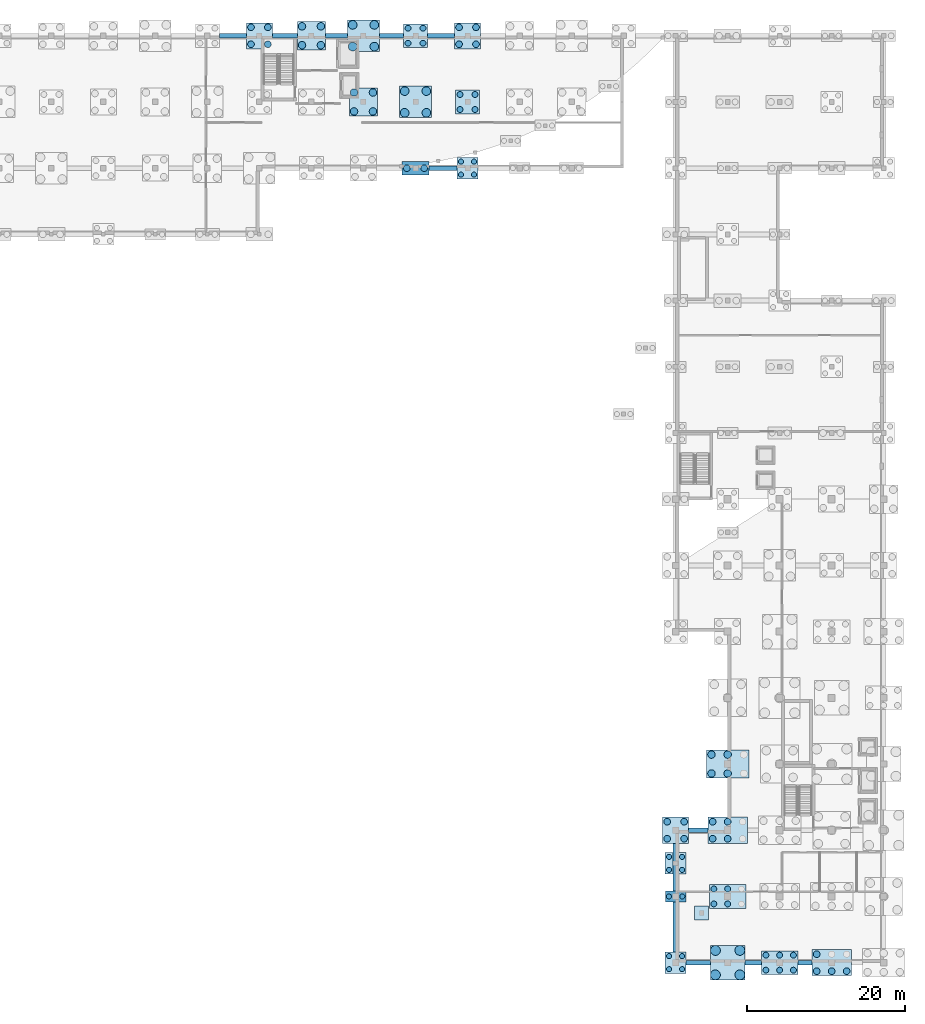
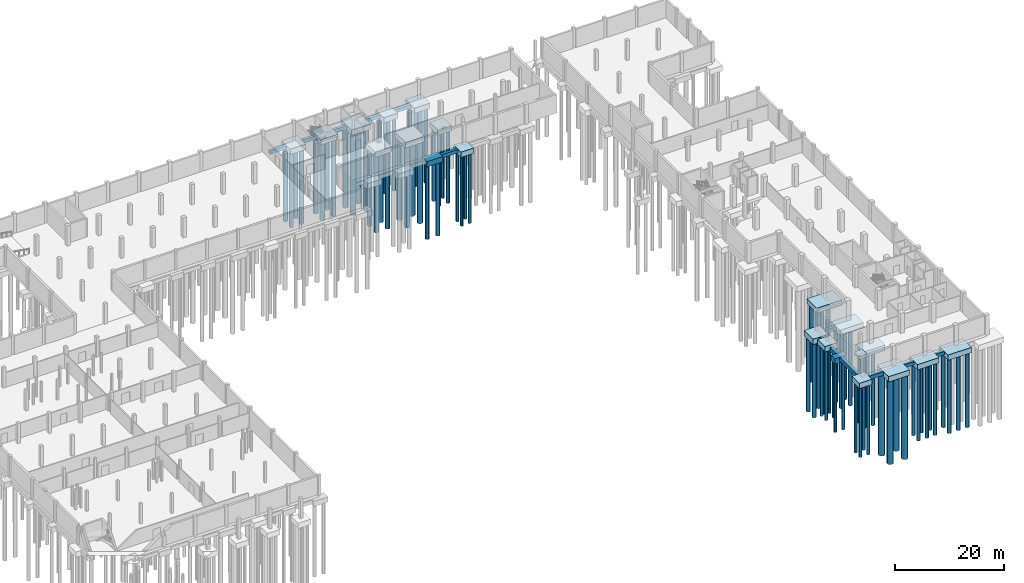
# One storey, part 5 of 25: 78 piles, 33 footings.
"""IFC4 building model written with IfcOpenShell, lengths in metres."""

from ifc_helpers import new_model, si_unit, direction, frame, origin, origin_2d, place, context, subcontext, project, spatial, rectangle, circle, extrude, material, layer, layer_set, material_profile, profile_set, type_object, element, save


model = new_model("IFC4")

# Units and contexts
model_context = context("Model", 3, precision=1e-05, world=origin(), true_north=direction((0.0, 1.0)))
body_context = subcontext(model_context, "Body", "Model", "MODEL_VIEW")
ifc_project = project(units=[si_unit("LENGTHUNIT", "METRE"), si_unit("AREAUNIT", "SQUARE_METRE"), si_unit("VOLUMEUNIT", "CUBIC_METRE"), si_unit("PLANEANGLEUNIT", "RADIAN"), si_unit("MASSUNIT", "GRAM", prefix="KILO")], contexts=[model_context])

# Site, building, storey
site_placement = place(None, origin())
site = spatial("IfcSite", under=ifc_project, at=site_placement, CompositionType="ELEMENT")
building_placement = place(site_placement, origin())
building = spatial("IfcBuilding", under=site, at=building_placement, Name="Qaldarim Faculty of Natural and Applied Sciences", CompositionType="ELEMENT")
storey_placement = place(building_placement, frame((0.0, 0.0, -4.5)))
storey = spatial("IfcBuildingStorey", under=building, at=storey_placement, Name="B01", CompositionType="ELEMENT", Elevation=-4.5)

# Piles
ifc_material = material(Name="Concrete C40/50", Category="concrete")
ifc_material_profile_1 = material_profile(ifc_material, circle(Radius=0.550048828125, at=origin_2d()), Name="PILE-D1100")
ifc_profile_set_1 = profile_set([ifc_material_profile_1], Name="Concrete C40/50")
pile_type_1 = type_object("IfcPileType", Name="BoredPile-D1100-L18300", PredefinedType="BORED", material=ifc_profile_set_1)
for number, where, z_axis, x_axis, name in (
    (1, (110.824951171875, 116.22509765625, -1.699951171875), (0.0, 0.0, -1.0), (1.0, 0.0, 0.0), "Bored pile PL05 1 under FTG-PC08-X18Y15"),
    (2, (110.824951171875, 118.97509765625, -1.699951171875), (0.0, 0.0, -1.0), (1.0, 0.0, 0.0), "Bored pile PL05 2 under FTG-PC08-X18Y15"),
    (3, (113.574951171875, 116.22509765625, -1.699951171875), (0.0, 0.0, -1.0), (1.0, 0.0, 0.0), "Bored pile PL05 3 under FTG-PC08-X18Y15"),
    (4, (113.574951171875, 118.97509765625, -1.699951171875), (0.0, 0.0, -1.0), (1.0, 0.0, 0.0), "Bored pile PL05 4 under FTG-PC08-X18Y15"),
    (5, (117.425048828125, 107.824951171875, -1.699951171875), (0.0, 0.0, -1.0), (1.0, 0.0, 0.0), "Bored pile PL05 1 under FTG-PC08-X19Y14"),
    (6, (117.425048828125, 110.574951171875, -1.699951171875), (0.0, 0.0, -1.0), (1.0, 0.0, 0.0), "Bored pile PL05 2 under FTG-PC08-X19Y14"),
    (7, (120.175048828125, 107.824951171875, -1.699951171875), (0.0, 0.0, -1.0), (1.0, 0.0, 0.0), "Bored pile PL05 3 under FTG-PC08-X19Y14"),
    (8, (120.175048828125, 110.574951171875, -1.699951171875), (0.0, 0.0, -1.0), (1.0, 0.0, 0.0), "Bored pile PL05 4 under FTG-PC08-X19Y14"),
):
    element("IfcPile", number, at=place(storey_placement, frame(where, z_axis=z_axis, x_axis=x_axis)), inside=storey, type_object=pile_type_1, Name=name, PredefinedType="BORED", context=body_context, shape_type="SweptSolid", body=[
        extrude(circle(Radius=0.550048828125, at=origin_2d()), origin(), (0.0, 0.0, 1.0), 18.300048828125),
    ])
ifc_material_profile_2 = material_profile(ifc_material, circle(Radius=0.625, at=origin_2d()), Name="PILE-D1250")
ifc_profile_set_2 = profile_set([ifc_material_profile_2], Name="Concrete C40/50")
pile_type_2 = type_object("IfcPileType", Name="BoredPile-D1250-L18800", PredefinedType="BORED", material=ifc_profile_set_2)
for number, where, z_axis, x_axis, name in (
    (9, (156.85009765625, -1.550048828125, -1.699951171875), (0.0, 0.0, -1.0), (1.0, 0.0, 0.0), "Bored pile PL06 1 under FTG-PC09-X25Y01"),
    (10, (156.85009765625, 1.550048828125, -1.699951171875), (0.0, 0.0, -1.0), (1.0, 0.0, 0.0), "Bored pile PL06 2 under FTG-PC09-X25Y01"),
    (11, (159.949951171875, -1.550048828125, -1.699951171875), (0.0, 0.0, -1.0), (1.0, 0.0, 0.0), "Bored pile PL06 3 under FTG-PC09-X25Y01"),
    (12, (159.949951171875, 1.550048828125, -1.699951171875), (0.0, 0.0, -1.0), (1.0, 0.0, 0.0), "Bored pile PL06 4 under FTG-PC09-X25Y01"),
):
    element("IfcPile", number, at=place(storey_placement, frame(where, z_axis=z_axis, x_axis=x_axis)), inside=storey, type_object=pile_type_2, Name=name, PredefinedType="BORED", context=body_context, shape_type="SweptSolid", body=[
        extrude(circle(Radius=0.625, at=origin_2d()), origin(), (0.0, 0.0, 1.0), 18.800048828125),
    ])
ifc_material_profile_3 = material_profile(ifc_material, circle(Radius=0.324951171875, at=origin_2d()), Name="PILE-D650")
ifc_profile_set_3 = profile_set([ifc_material_profile_3], Name="Concrete C40/50")
pile_type_3 = type_object("IfcPileType", Name="BoredPile-D650-L15800", PredefinedType="BORED", material=ifc_profile_set_3)
for number, where, z_axis, x_axis, name in (
    (13, (124.574951171875, 99.97509765625, -1.699951171875), (0.0, 0.0, -1.0), (1.0, 0.0, 0.0), "Bored pile PL01 1 under FTG-PC04-X20Y13"),
    (14, (124.574951171875, 101.625, -1.699951171875), (0.0, 0.0, -1.0), (1.0, 0.0, 0.0), "Bored pile PL01 2 under FTG-PC04-X20Y13"),
    (15, (126.22509765625, 99.97509765625, -1.699951171875), (0.0, 0.0, -1.0), (1.0, 0.0, 0.0), "Bored pile PL01 3 under FTG-PC04-X20Y13"),
    (16, (126.22509765625, 101.625, -1.699951171875), (0.0, 0.0, -1.0), (1.0, 0.0, 0.0), "Bored pile PL01 4 under FTG-PC04-X20Y13"),
    (17, (150.97509765625, -0.824951171875, -1.699951171875), (0.0, 0.0, -1.0), (1.0, 0.0, 0.0), "Bored pile PL01 1 under FTG-PC04-X24Y01"),
    (18, (150.97509765625, 0.824951171875, -1.699951171875), (0.0, 0.0, -1.0), (1.0, 0.0, 0.0), "Bored pile PL01 2 under FTG-PC04-X24Y01"),
    (19, (152.625, -0.824951171875, -1.699951171875), (0.0, 0.0, -1.0), (1.0, 0.0, 0.0), "Bored pile PL01 3 under FTG-PC04-X24Y01"),
    (20, (152.625, 0.824951171875, -1.699951171875), (0.0, 0.0, -1.0), (1.0, 0.0, 0.0), "Bored pile PL01 4 under FTG-PC04-X24Y01"),
    (21, (150.949951171875, 8.39990234375, -1.699951171875), (0.0, 0.0, -1.0), (1.0, 0.0, 0.0), "Bored pile PL01 1 under FTG-PC01-X24Y02"),
    (22, (152.64990234375, 8.39990234375, -1.699951171875), (0.0, 0.0, -1.0), (1.0, 0.0, 0.0), "Bored pile PL01 2 under FTG-PC01-X24Y02"),
    (23, (150.97509765625, 11.77490234375, -1.10009765625), (0.0, 0.0, -1.0), (1.0, 0.0, 0.0), "Bored pile PL01 1 under FTG-SPC-V5-SW1"),
    (24, (150.97509765625, 13.425048828125, -1.10009765625), (0.0, 0.0, -1.0), (1.0, 0.0, 0.0), "Bored pile PL01 2 under FTG-SPC-V5-SW1"),
    (25, (152.625, 11.77490234375, -1.10009765625), (0.0, 0.0, -1.0), (1.0, 0.0, 0.0), "Bored pile PL01 3 under FTG-SPC-V5-SW1"),
    (26, (152.625, 13.425048828125, -1.10009765625), (0.0, 0.0, -1.0), (1.0, 0.0, 0.0), "Bored pile PL01 4 under FTG-SPC-V5-SW1"),
):
    element("IfcPile", number, at=place(storey_placement, frame(where, z_axis=z_axis, x_axis=x_axis)), inside=storey, type_object=pile_type_3, Name=name, PredefinedType="BORED", context=body_context, shape_type="SweptSolid", body=[
        extrude(circle(Radius=0.324951171875, at=origin_2d()), origin(), (0.0, 0.0, 1.0), 15.800048828125),
    ])
ifc_material_profile_4 = material_profile(ifc_material, circle(Radius=0.375, at=origin_2d()), Name="PILE-D750")
ifc_profile_set_4 = profile_set([ifc_material_profile_4], Name="Concrete C40/50")
pile_type_4 = type_object("IfcPileType", Name="BoredPile-D750-L16300", PredefinedType="BORED", material=ifc_profile_set_4)
for number, where, z_axis, x_axis, name in (
    (27, (117.85009765625, 116.64990234375, -1.699951171875), (0.0, 0.0, -1.0), (1.0, 0.0, 0.0), "Bored pile PL02 1 under FTG-PC05-X19Y15"),
    (28, (117.85009765625, 118.550048828125, -1.699951171875), (0.0, 0.0, -1.0), (1.0, 0.0, 0.0), "Bored pile PL02 2 under FTG-PC05-X19Y15"),
    (29, (119.75, 116.64990234375, -1.699951171875), (0.0, 0.0, -1.0), (1.0, 0.0, 0.0), "Bored pile PL02 3 under FTG-PC05-X19Y15"),
    (30, (119.75, 118.550048828125, -1.699951171875), (0.0, 0.0, -1.0), (1.0, 0.0, 0.0), "Bored pile PL02 4 under FTG-PC05-X19Y15"),
    (31, (124.449951171875, 108.25, -1.699951171875), (0.0, 0.0, -1.0), (1.0, 0.0, 0.0), "Bored pile PL02 1 under FTG-PC05-X20Y14"),
    (32, (124.449951171875, 110.14990234375, -1.699951171875), (0.0, 0.0, -1.0), (1.0, 0.0, 0.0), "Bored pile PL02 2 under FTG-PC05-X20Y14"),
    (33, (126.35009765625, 108.25, -1.699951171875), (0.0, 0.0, -1.0), (1.0, 0.0, 0.0), "Bored pile PL02 3 under FTG-PC05-X20Y14"),
    (34, (126.35009765625, 110.14990234375, -1.699951171875), (0.0, 0.0, -1.0), (1.0, 0.0, 0.0), "Bored pile PL02 4 under FTG-PC05-X20Y14"),
    (35, (156.64990234375, 7.449951171875, -1.699951171875), (0.0, 0.0, -1.0), (1.0, 0.0, 0.0), "Bored pile PL02 1 under FTG-PC10-X25Y02"),
    (36, (158.39990234375, 7.449951171875, -1.699951171875), (0.0, 0.0, -1.0), (1.0, 0.0, 0.0), "Bored pile PL02 2 under FTG-PC10-X25Y02"),
    (37, (156.64990234375, 9.35009765625, -1.699951171875), (0.0, 0.0, -1.0), (1.0, 0.0, 0.0), "Bored pile PL02 4 under FTG-PC10-X25Y02"),
    (38, (158.39990234375, 9.35009765625, -1.699951171875), (0.0, 0.0, -1.0), (1.0, 0.0, 0.0), "Bored pile PL02 5 under FTG-PC10-X25Y02"),
    (39, (163.25, -0.949951171875, -1.699951171875), (0.0, 0.0, -1.0), (1.0, 0.0, 0.0), "Bored pile PL02 1 under FTG-PC10-X26Y01"),
    (40, (165.0, -0.949951171875, -1.699951171875), (0.0, 0.0, -1.0), (1.0, 0.0, 0.0), "Bored pile PL02 2 under FTG-PC10-X26Y01"),
    (41, (166.75, -0.949951171875, -1.699951171875), (0.0, 0.0, -1.0), (1.0, 0.0, 0.0), "Bored pile PL02 3 under FTG-PC10-X26Y01"),
    (42, (163.25, 0.949951171875, -1.699951171875), (0.0, 0.0, -1.0), (1.0, 0.0, 0.0), "Bored pile PL02 4 under FTG-PC10-X26Y01"),
    (43, (165.0, 0.949951171875, -1.699951171875), (0.0, 0.0, -1.0), (1.0, 0.0, 0.0), "Bored pile PL02 5 under FTG-PC10-X26Y01"),
    (44, (166.75, 0.949951171875, -1.699951171875), (0.0, 0.0, -1.0), (1.0, 0.0, 0.0), "Bored pile PL02 6 under FTG-PC10-X26Y01"),
):
    element("IfcPile", number, at=place(storey_placement, frame(where, z_axis=z_axis, x_axis=x_axis)), inside=storey, type_object=pile_type_4, Name=name, PredefinedType="BORED", context=body_context, shape_type="SweptSolid", body=[
        extrude(circle(Radius=0.375, at=origin_2d()), origin(), (0.0, 0.0, 1.0), 16.300048828125),
    ])
ifc_material_profile_5 = material_profile(ifc_material, circle(Radius=0.425048828125, at=origin_2d()), Name="PILE-D850")
ifc_profile_set_5 = profile_set([ifc_material_profile_5], Name="Concrete C40/50")
pile_type_5 = type_object("IfcPileType", Name="BoredPile-D850-L16800", PredefinedType="BORED", material=ifc_profile_set_5)
for number, where, z_axis, x_axis, name in (
    (45, (97.925048828125, 116.52490234375, -1.699951171875), (0.0, 0.0, -1.0), (1.0, 0.0, 0.0), "Bored pile PL03 1 under FTG-PC06-X16Y15"),
    (46, (97.925048828125, 118.675048828125, -1.699951171875), (0.0, 0.0, -1.0), (1.0, 0.0, 0.0), "Bored pile PL03 2 under FTG-PC06-X16Y15"),
    (47, (100.074951171875, 116.52490234375, -1.699951171875), (0.0, 0.0, -1.0), (1.0, 0.0, 0.0), "Bored pile PL03 3 under FTG-PC06-X16Y15"),
    (48, (100.074951171875, 118.675048828125, -1.699951171875), (0.0, 0.0, -1.0), (1.0, 0.0, 0.0), "Bored pile PL03 4 under FTG-PC06-X16Y15"),
    (49, (117.699951171875, 100.800048828125, -1.699951171875), (0.0, 0.0, -1.0), (1.0, 0.0, 0.0), "Bored pile PL03 1 under FTG-PC03-X19Y13"),
    (50, (119.89990234375, 100.800048828125, -1.699951171875), (0.0, 0.0, -1.0), (1.0, 0.0, 0.0), "Bored pile PL03 2 under FTG-PC03-X19Y13"),
    (51, (124.324951171875, 116.52490234375, -1.699951171875), (0.0, 0.0, -1.0), (1.0, 0.0, 0.0), "Bored pile PL03 1 under FTG-PC06-X20Y15"),
    (52, (124.324951171875, 118.675048828125, -1.699951171875), (0.0, 0.0, -1.0), (1.0, 0.0, 0.0), "Bored pile PL03 2 under FTG-PC06-X20Y15"),
    (53, (126.47509765625, 116.52490234375, -1.699951171875), (0.0, 0.0, -1.0), (1.0, 0.0, 0.0), "Bored pile PL03 3 under FTG-PC06-X20Y15"),
    (54, (126.47509765625, 118.675048828125, -1.699951171875), (0.0, 0.0, -1.0), (1.0, 0.0, 0.0), "Bored pile PL03 4 under FTG-PC06-X20Y15"),
    (55, (150.72509765625, 15.72509765625, -1.699951171875), (0.0, 0.0, -1.0), (1.0, 0.0, 0.0), "Bored pile PL03 1 under FTG-PC06-X24Y03"),
    (56, (150.72509765625, 17.875, -1.699951171875), (0.0, 0.0, -1.0), (1.0, 0.0, 0.0), "Bored pile PL03 2 under FTG-PC06-X24Y03"),
    (57, (152.875, 15.72509765625, -1.699951171875), (0.0, 0.0, -1.0), (1.0, 0.0, 0.0), "Bored pile PL03 3 under FTG-PC06-X24Y03"),
    (58, (152.875, 17.875, -1.699951171875), (0.0, 0.0, -1.0), (1.0, 0.0, 0.0), "Bored pile PL03 4 under FTG-PC06-X24Y03"),
    (59, (156.5, 15.72509765625, -1.699951171875), (0.0, 0.0, -1.0), (1.0, 0.0, 0.0), "Bored pile PL03 1 under FTG-PC11-X25Y03"),
    (60, (158.39990234375, 15.72509765625, -1.699951171875), (0.0, 0.0, -1.0), (1.0, 0.0, 0.0), "Bored pile PL03 2 under FTG-PC11-X25Y03"),
    (61, (156.5, 17.875, -1.699951171875), (0.0, 0.0, -1.0), (1.0, 0.0, 0.0), "Bored pile PL03 4 under FTG-PC11-X25Y03"),
    (62, (158.39990234375, 17.875, -1.699951171875), (0.0, 0.0, -1.0), (1.0, 0.0, 0.0), "Bored pile PL03 5 under FTG-PC11-X25Y03"),
    (63, (169.699951171875, -1.074951171875, -1.699951171875), (0.0, 0.0, -1.0), (1.0, 0.0, 0.0), "Bored pile PL03 1 under FTG-PC11-X27Y01"),
    (64, (171.60009765625, -1.074951171875, -1.699951171875), (0.0, 0.0, -1.0), (1.0, 0.0, 0.0), "Bored pile PL03 2 under FTG-PC11-X27Y01"),
    (65, (173.5, -1.074951171875, -1.699951171875), (0.0, 0.0, -1.0), (1.0, 0.0, 0.0), "Bored pile PL03 3 under FTG-PC11-X27Y01"),
    (66, (169.699951171875, 1.074951171875, -1.699951171875), (0.0, 0.0, -1.0), (1.0, 0.0, 0.0), "Bored pile PL03 4 under FTG-PC11-X27Y01"),
):
    element("IfcPile", number, at=place(storey_placement, frame(where, z_axis=z_axis, x_axis=x_axis)), inside=storey, type_object=pile_type_5, Name=name, PredefinedType="BORED", context=body_context, shape_type="SweptSolid", body=[
        extrude(circle(Radius=0.425048828125, at=origin_2d()), origin(), (0.0, 0.0, 1.0), 16.800048828125),
    ])
ifc_material_profile_6 = material_profile(ifc_material, circle(Radius=0.47509765625, at=origin_2d()), Name="PILE-D950")
ifc_profile_set_6 = profile_set([ifc_material_profile_6], Name="Concrete C40/50")
pile_type_6 = type_object("IfcPileType", Name="BoredPile-D950-L17300", PredefinedType="BORED", material=ifc_profile_set_6)
for number, where, z_axis, x_axis, name in (
    (67, (104.39990234375, 116.39990234375, -1.699951171875), (0.0, 0.0, -1.0), (1.0, 0.0, 0.0), "Bored pile PL04 1 under FTG-PC07-X17Y15"),
    (68, (104.39990234375, 118.800048828125, -1.699951171875), (0.0, 0.0, -1.0), (1.0, 0.0, 0.0), "Bored pile PL04 2 under FTG-PC07-X17Y15"),
    (69, (106.800048828125, 116.39990234375, -1.699951171875), (0.0, 0.0, -1.0), (1.0, 0.0, 0.0), "Bored pile PL04 3 under FTG-PC07-X17Y15"),
    (70, (106.800048828125, 118.800048828125, -1.699951171875), (0.0, 0.0, -1.0), (1.0, 0.0, 0.0), "Bored pile PL04 4 under FTG-PC07-X17Y15"),
    (71, (111.0, 108.0, -1.699951171875), (0.0, 0.0, -1.0), (1.0, 0.0, 0.0), "Bored pile PL04 1 under FTG-PC07-X18Y14"),
    (72, (111.0, 110.39990234375, -1.699951171875), (0.0, 0.0, -1.0), (1.0, 0.0, 0.0), "Bored pile PL04 2 under FTG-PC07-X18Y14"),
    (73, (113.39990234375, 108.0, -1.699951171875), (0.0, 0.0, -1.0), (1.0, 0.0, 0.0), "Bored pile PL04 3 under FTG-PC07-X18Y14"),
    (74, (113.39990234375, 110.39990234375, -1.699951171875), (0.0, 0.0, -1.0), (1.0, 0.0, 0.0), "Bored pile PL04 4 under FTG-PC07-X18Y14"),
    (75, (156.35009765625, 24.0, -1.699951171875), (0.0, 0.0, -1.0), (1.0, 0.0, 0.0), "Bored pile PL04 1 under FTG-PC12-X25Y04"),
    (76, (158.39990234375, 24.0, -1.699951171875), (0.0, 0.0, -1.0), (1.0, 0.0, 0.0), "Bored pile PL04 2 under FTG-PC12-X25Y04"),
    (77, (156.35009765625, 26.39990234375, -1.699951171875), (0.0, 0.0, -1.0), (1.0, 0.0, 0.0), "Bored pile PL04 4 under FTG-PC12-X25Y04"),
    (78, (158.39990234375, 26.39990234375, -1.699951171875), (0.0, 0.0, -1.0), (1.0, 0.0, 0.0), "Bored pile PL04 5 under FTG-PC12-X25Y04"),
):
    element("IfcPile", number, at=place(storey_placement, frame(where, z_axis=z_axis, x_axis=x_axis)), inside=storey, type_object=pile_type_6, Name=name, PredefinedType="BORED", context=body_context, shape_type="SweptSolid", body=[
        extrude(circle(Radius=0.47509765625, at=origin_2d()), origin(), (0.0, 0.0, 1.0), 17.300048828125),
    ])

# Footings
ifc_layer_1 = layer(ifc_material, 1.199951171875)
ifc_layer_set_1 = layer_set([ifc_layer_1], Name="Concrete C40/50")
footing_type_1 = type_object("IfcFootingType", Name="FoundationCap-2600x1400x1200-2P650", PredefinedType="PILE_CAP", material=ifc_layer_set_1)
footing_1_placement = place(storey_placement, frame((151.800048828125, 8.39990234375, -1.7998046875), z_axis=(0.0, 0.0, 1.0), x_axis=(1.0, 0.0, 0.0)))
element("IfcFooting", 79, at=footing_1_placement, inside=storey, type_object=footing_type_1, Name="Pile cap PC01 at X24/Y02", PredefinedType="PILE_CAP", context=body_context, shape_type="SweptSolid", body=[
    extrude(rectangle(XDim=2.60009765625, YDim=1.39990234375, at=origin_2d()), origin(), (0.0, 0.0, 1.0), 1.199951171875),
])
ifc_layer_2 = layer(ifc_material, 1.199951171875)
ifc_layer_set_2 = layer_set([ifc_layer_2], Name="Concrete C40/50")
footing_type_2 = type_object("IfcFootingType", Name="FoundationCap-2700x2700x1200-4P650", PredefinedType="PILE_CAP", material=ifc_layer_set_2)
for number, where, z_axis, x_axis, name in (
    (80, (125.39990234375, 100.800048828125, -1.7998046875), (0.0, 0.0, 1.0), (1.0, 0.0, 0.0), "Pile cap PC04 at X20/Y13"),
    (81, (151.800048828125, 0.0, -1.7998046875), (0.0, 0.0, 1.0), (1.0, 0.0, 0.0), "Pile cap PC04 at X24/Y01"),
    (82, (151.800048828125, 12.60009765625, -1.2001953125), (0.0, 0.0, 1.0), (1.0, 0.0, 0.0), "Pile cap V5-SW1"),
):
    element("IfcFooting", number, at=place(storey_placement, frame(where, z_axis=z_axis, x_axis=x_axis)), inside=storey, type_object=footing_type_2, Name=name, PredefinedType="PILE_CAP", context=body_context, shape_type="SweptSolid", body=[
        extrude(rectangle(XDim=2.699951171875, YDim=2.699951171875, at=origin_2d()), origin(), (0.0, 0.0, 1.0), 1.199951171875),
    ])
ifc_layer_3 = layer(ifc_material, 1.199951171875)
ifc_layer_set_3 = layer_set([ifc_layer_3], Name="Concrete C40/50")
footing_type_3 = type_object("IfcFootingType", Name="FoundationCap-3000x3000x1200-4P750", PredefinedType="PILE_CAP", material=ifc_layer_set_3)
for number, where, z_axis, x_axis, name in (
    (83, (118.800048828125, 117.60009765625, -1.7998046875), (0.0, 0.0, 1.0), (1.0, 0.0, 0.0), "Pile cap PC05 at X19/Y15"),
    (84, (125.39990234375, 109.199951171875, -1.7998046875), (0.0, 0.0, 1.0), (1.0, 0.0, 0.0), "Pile cap PC05 at X20/Y14"),
):
    element("IfcFooting", number, at=place(storey_placement, frame(where, z_axis=z_axis, x_axis=x_axis)), inside=storey, type_object=footing_type_3, Name=name, PredefinedType="PILE_CAP", context=body_context, shape_type="SweptSolid", body=[
        extrude(rectangle(XDim=3.0, YDim=3.0, at=origin_2d()), origin(), (0.0, 0.0, 1.0), 1.199951171875),
    ])
ifc_layer_4 = layer(ifc_material, 1.199951171875)
ifc_layer_set_4 = layer_set([ifc_layer_4], Name="Concrete C40/50")
footing_type_4 = type_object("IfcFootingType", Name="FoundationCap-3300x3300x1200-4P850", PredefinedType="PILE_CAP", material=ifc_layer_set_4)
for number, where, z_axis, x_axis, name in (
    (85, (99.0, 117.60009765625, -1.7998046875), (0.0, 0.0, 1.0), (1.0, 0.0, 0.0), "Pile cap PC06 at X16/Y15"),
    (86, (125.39990234375, 117.60009765625, -1.7998046875), (0.0, 0.0, 1.0), (1.0, 0.0, 0.0), "Pile cap PC06 at X20/Y15"),
    (87, (151.800048828125, 16.800048828125, -1.7998046875), (0.0, 0.0, 1.0), (1.0, 0.0, 0.0), "Pile cap PC06 at X24/Y03"),
):
    element("IfcFooting", number, at=place(storey_placement, frame(where, z_axis=z_axis, x_axis=x_axis)), inside=storey, type_object=footing_type_4, Name=name, PredefinedType="PILE_CAP", context=body_context, shape_type="SweptSolid", body=[
        extrude(rectangle(XDim=3.300048828125, YDim=3.300048828125, at=origin_2d()), origin(), (0.0, 0.0, 1.0), 1.199951171875),
    ])
ifc_layer_5 = layer(ifc_material, 1.199951171875)
ifc_layer_set_5 = layer_set([ifc_layer_5], Name="Concrete C40/50")
footing_type_5 = type_object("IfcFootingType", Name="FoundationCap-3400x1700x1200-2P850", PredefinedType="PILE_CAP", material=ifc_layer_set_5)
footing_2_placement = place(storey_placement, frame((118.800048828125, 100.800048828125, -1.7998046875), z_axis=(0.0, 0.0, 1.0), x_axis=(1.0, 0.0, 0.0)))
element("IfcFooting", 88, at=footing_2_placement, inside=storey, type_object=footing_type_5, Name="Pile cap PC03 at X19/Y13", PredefinedType="PILE_CAP", context=body_context, shape_type="SweptSolid", body=[
    extrude(rectangle(XDim=3.39990234375, YDim=1.699951171875, at=origin_2d()), origin(), (0.0, 0.0, 1.0), 1.199951171875),
])
ifc_layer_6 = layer(ifc_material, 1.199951171875)
ifc_layer_set_6 = layer_set([ifc_layer_6], Name="Concrete C40/50")
footing_type_6 = type_object("IfcFootingType", Name="FoundationCap-3600x3600x1200-4P950", PredefinedType="PILE_CAP", material=ifc_layer_set_6)
for number, where, z_axis, x_axis, name in (
    (89, (105.60009765625, 117.60009765625, -1.7998046875), (0.0, 0.0, 1.0), (1.0, 0.0, 0.0), "Pile cap PC07 at X17/Y15"),
    (90, (112.199951171875, 109.199951171875, -1.7998046875), (0.0, 0.0, 1.0), (1.0, 0.0, 0.0), "Pile cap PC07 at X18/Y14"),
):
    element("IfcFooting", number, at=place(storey_placement, frame(where, z_axis=z_axis, x_axis=x_axis)), inside=storey, type_object=footing_type_6, Name=name, PredefinedType="PILE_CAP", context=body_context, shape_type="SweptSolid", body=[
        extrude(rectangle(XDim=3.60009765625, YDim=3.60009765625, at=origin_2d()), origin(), (0.0, 0.0, 1.0), 1.199951171875),
    ])
ifc_layer_7 = layer(ifc_material, 1.199951171875)
ifc_layer_set_7 = layer_set([ifc_layer_7], Name="Concrete C40/50")
footing_type_7 = type_object("IfcFootingType", Name="FoundationCap-4000x4000x1200-4P1100", PredefinedType="PILE_CAP", material=ifc_layer_set_7)
for number, where, z_axis, x_axis, name in (
    (91, (112.199951171875, 117.60009765625, -1.7998046875), (0.0, 0.0, 1.0), (1.0, 0.0, 0.0), "Pile cap PC08 at X18/Y15"),
    (92, (118.800048828125, 109.199951171875, -1.7998046875), (0.0, 0.0, 1.0), (1.0, 0.0, 0.0), "Pile cap PC08 at X19/Y14"),
):
    element("IfcFooting", number, at=place(storey_placement, frame(where, z_axis=z_axis, x_axis=x_axis)), inside=storey, type_object=footing_type_7, Name=name, PredefinedType="PILE_CAP", context=body_context, shape_type="SweptSolid", body=[
        extrude(rectangle(XDim=4.0, YDim=4.0, at=origin_2d()), origin(), (0.0, 0.0, 1.0), 1.199951171875),
    ])
ifc_layer_8 = layer(ifc_material, 1.199951171875)
ifc_layer_set_8 = layer_set([ifc_layer_8], Name="Concrete C40/50")
footing_type_8 = type_object("IfcFootingType", Name="FoundationCap-4400x4400x1200-4P1250", PredefinedType="PILE_CAP", material=ifc_layer_set_8)
footing_3_placement = place(storey_placement, frame((158.39990234375, 0.0, -1.7998046875), z_axis=(0.0, 0.0, 1.0), x_axis=(1.0, 0.0, 0.0)))
element("IfcFooting", 93, at=footing_3_placement, inside=storey, type_object=footing_type_8, Name="Pile cap PC09 at X25/Y01", PredefinedType="PILE_CAP", context=body_context, shape_type="SweptSolid", body=[
    extrude(rectangle(XDim=4.39990234375, YDim=4.39990234375, at=origin_2d()), origin(), (0.0, 0.0, 1.0), 1.199951171875),
])
ifc_layer_9 = layer(ifc_material, 1.199951171875)
ifc_layer_set_9 = layer_set([ifc_layer_9], Name="Concrete C40/50")
footing_type_9 = type_object("IfcFootingType", Name="FoundationCap-4600x3000x1200-6P750", PredefinedType="PILE_CAP", material=ifc_layer_set_9)
for number, where, z_axis, x_axis, name in (
    (94, (158.39990234375, 8.39990234375, -1.7998046875), (0.0, 0.0, 1.0), (1.0, 0.0, 0.0), "Pile cap PC10 at X25/Y02"),
    (95, (165.0, 0.0, -1.7998046875), (0.0, 0.0, 1.0), (1.0, 0.0, 0.0), "Pile cap PC10 at X26/Y01"),
):
    element("IfcFooting", number, at=place(storey_placement, frame(where, z_axis=z_axis, x_axis=x_axis)), inside=storey, type_object=footing_type_9, Name=name, PredefinedType="PILE_CAP", context=body_context, shape_type="SweptSolid", body=[
        extrude(rectangle(XDim=4.60009765625, YDim=3.0, at=origin_2d()), origin(), (0.0, 0.0, 1.0), 1.199951171875),
    ])
ifc_layer_10 = layer(ifc_material, 1.199951171875)
ifc_layer_set_10 = layer_set([ifc_layer_10], Name="Concrete C40/50")
footing_type_10 = type_object("IfcFootingType", Name="FoundationCap-5000x3300x1200-6P850", PredefinedType="PILE_CAP", material=ifc_layer_set_10)
for number, where, z_axis, x_axis, name in (
    (96, (158.39990234375, 16.800048828125, -1.7998046875), (0.0, 0.0, 1.0), (1.0, 0.0, 0.0), "Pile cap PC11 at X25/Y03"),
    (97, (171.60009765625, 0.0, -1.7998046875), (0.0, 0.0, 1.0), (1.0, 0.0, 0.0), "Pile cap PC11 at X27/Y01"),
):
    element("IfcFooting", number, at=place(storey_placement, frame(where, z_axis=z_axis, x_axis=x_axis)), inside=storey, type_object=footing_type_10, Name=name, PredefinedType="PILE_CAP", context=body_context, shape_type="SweptSolid", body=[
        extrude(rectangle(XDim=5.0, YDim=3.300048828125, at=origin_2d()), origin(), (0.0, 0.0, 1.0), 1.199951171875),
    ])
ifc_layer_11 = layer(ifc_material, 1.199951171875)
ifc_layer_set_11 = layer_set([ifc_layer_11], Name="Concrete C40/50")
footing_type_11 = type_object("IfcFootingType", Name="FoundationCap-5400x3600x1200-6P950", PredefinedType="PILE_CAP", material=ifc_layer_set_11)
footing_4_placement = place(storey_placement, frame((158.39990234375, 25.199951171875, -1.7998046875), z_axis=(0.0, 0.0, 1.0), x_axis=(1.0, 0.0, 0.0)))
element("IfcFooting", 98, at=footing_4_placement, inside=storey, type_object=footing_type_11, Name="Pile cap PC12 at X25/Y04", PredefinedType="PILE_CAP", context=body_context, shape_type="SweptSolid", body=[
    extrude(rectangle(XDim=5.39990234375, YDim=3.60009765625, at=origin_2d()), origin(), (0.0, 0.0, 1.0), 1.199951171875),
])
ifc_layer_12 = layer(ifc_material, 0.64990234375)
ifc_layer_set_12 = layer_set([ifc_layer_12], Name="Concrete C40/50")
footing_type_12 = type_object("IfcFootingType", Name="FoundationPadBsm-1800x1800x650", PredefinedType="PAD_FOOTING", material=ifc_layer_set_12)
footing_5_placement = place(storey_placement, frame((155.10009765625, 6.300048828125, -0.64990234375), z_axis=(0.0, 0.0, 1.0), x_axis=(1.0, 0.0, 0.0)))
element("IfcFooting", 99, at=footing_5_placement, inside=storey, type_object=footing_type_12, Name="Foundation pad V5-SW2", PredefinedType="PAD_FOOTING", context=body_context, shape_type="SweptSolid", body=[
    extrude(rectangle(XDim=1.800048828125, YDim=1.800048828125, at=origin_2d()), origin(), (0.0, 0.0, 1.0), 0.64990234375),
])
ifc_layer_13 = layer(ifc_material, 0.800048828125)
ifc_layer_set_13 = layer_set([ifc_layer_13], Name="Concrete C40/50")
footing_type_13 = type_object("IfcFootingType", Name="FoundationTie-1800x600x800", PredefinedType="STRIP_FOOTING", material=ifc_layer_set_13)
footing_6_placement = place(storey_placement, frame((168.199951171875, 0.0, -1.39990234375), z_axis=(0.0, 0.0, 1.0), x_axis=(1.0, 0.0, 0.0)))
element("IfcFooting", 100, at=footing_6_placement, inside=storey, type_object=footing_type_13, Name="Strip footing SF24 X26Y01", PredefinedType="STRIP_FOOTING", context=body_context, shape_type="SweptSolid", body=[
    extrude(rectangle(XDim=1.800048828125, YDim=0.60009765625, at=origin_2d()), origin(), (0.0, 0.0, 1.0), 0.800048828125),
])
ifc_layer_14 = layer(ifc_material, 0.800048828125)
ifc_layer_set_14 = layer_set([ifc_layer_14], Name="Concrete C40/50")
footing_type_14 = type_object("IfcFootingType", Name="FoundationTie-2100x600x800", PredefinedType="STRIP_FOOTING", material=ifc_layer_set_14)
footing_7_placement = place(storey_placement, frame((161.64990234375, 0.0, -1.39990234375), z_axis=(0.0, 0.0, 1.0), x_axis=(1.0, 0.0, 0.0)))
element("IfcFooting", 101, at=footing_7_placement, inside=storey, type_object=footing_type_14, Name="Strip footing SF22 X25Y01", PredefinedType="STRIP_FOOTING", context=body_context, shape_type="SweptSolid", body=[
    extrude(rectangle(XDim=2.10009765625, YDim=0.60009765625, at=origin_2d()), origin(), (0.0, 0.0, 1.0), 0.800048828125),
])
ifc_layer_15 = layer(ifc_material, 0.800048828125)
ifc_layer_set_15 = layer_set([ifc_layer_15], Name="Concrete C40/50")
footing_type_15 = type_object("IfcFootingType", Name="FoundationTie-2450x600x800", PredefinedType="STRIP_FOOTING", material=ifc_layer_set_15)
footing_8_placement = place(storey_placement, frame((154.675048828125, 16.800048828125, -1.39990234375), z_axis=(0.0, 0.0, 1.0), x_axis=(1.0, 0.0, 0.0)))
element("IfcFooting", 102, at=footing_8_placement, inside=storey, type_object=footing_type_15, Name="Strip footing SF19 X24Y03", PredefinedType="STRIP_FOOTING", context=body_context, shape_type="SweptSolid", body=[
    extrude(rectangle(XDim=2.449951171875, YDim=0.60009765625, at=origin_2d()), origin(), (0.0, 0.0, 1.0), 0.800048828125),
])
ifc_layer_16 = layer(ifc_material, 0.800048828125)
ifc_layer_set_16 = layer_set([ifc_layer_16], Name="Concrete C40/50")
footing_type_16 = type_object("IfcFootingType", Name="FoundationTie-2800x600x800", PredefinedType="STRIP_FOOTING", material=ifc_layer_set_16)
footing_9_placement = place(storey_placement, frame((108.800048828125, 117.60009765625, -1.39990234375), z_axis=(0.0, 0.0, 1.0), x_axis=(1.0, 0.0, 0.0)))
element("IfcFooting", 103, at=footing_9_placement, inside=storey, type_object=footing_type_16, Name="Strip footing SF13 X17Y15", PredefinedType="STRIP_FOOTING", context=body_context, shape_type="SweptSolid", body=[
    extrude(rectangle(XDim=2.800048828125, YDim=0.60009765625, at=origin_2d()), origin(), (0.0, 0.0, 1.0), 0.800048828125),
])
ifc_layer_17 = layer(ifc_material, 0.800048828125)
ifc_layer_set_17 = layer_set([ifc_layer_17], Name="Concrete C40/50")
footing_type_17 = type_object("IfcFootingType", Name="FoundationTie-3050x600x800", PredefinedType="STRIP_FOOTING", material=ifc_layer_set_17)
footing_10_placement = place(storey_placement, frame((154.675048828125, 0.0, -1.39990234375), z_axis=(0.0, 0.0, 1.0), x_axis=(1.0, 0.0, 0.0)))
element("IfcFooting", 104, at=footing_10_placement, inside=storey, type_object=footing_type_17, Name="Strip footing SF17 X24Y01", PredefinedType="STRIP_FOOTING", context=body_context, shape_type="SweptSolid", body=[
    extrude(rectangle(XDim=3.050048828125, YDim=0.60009765625, at=origin_2d()), origin(), (0.0, 0.0, 1.0), 0.800048828125),
])
ifc_layer_18 = layer(ifc_material, 0.800048828125)
ifc_layer_set_18 = layer_set([ifc_layer_18], Name="Concrete C40/50")
footing_type_18 = type_object("IfcFootingType", Name="FoundationTie-3100x600x800", PredefinedType="STRIP_FOOTING", material=ifc_layer_set_18)
footing_11_placement = place(storey_placement, frame((115.75, 117.60009765625, -1.39990234375), z_axis=(0.0, 0.0, 1.0), x_axis=(1.0, 0.0, 0.0)))
element("IfcFooting", 105, at=footing_11_placement, inside=storey, type_object=footing_type_18, Name="Strip footing SF12 X18Y15", PredefinedType="STRIP_FOOTING", context=body_context, shape_type="SweptSolid", body=[
    extrude(rectangle(XDim=3.10009765625, YDim=0.60009765625, at=origin_2d()), origin(), (0.0, 0.0, 1.0), 0.800048828125),
])
ifc_layer_19 = layer(ifc_material, 0.800048828125)
ifc_layer_set_19 = layer_set([ifc_layer_19], Name="Concrete C40/50")
footing_type_19 = type_object("IfcFootingType", Name="FoundationTie-3150x600x800", PredefinedType="STRIP_FOOTING", material=ifc_layer_set_19)
footing_12_placement = place(storey_placement, frame((102.22509765625, 117.60009765625, -1.39990234375), z_axis=(0.0, 0.0, 1.0), x_axis=(1.0, 0.0, 0.0)))
element("IfcFooting", 106, at=footing_12_placement, inside=storey, type_object=footing_type_19, Name="Strip footing SF11 X16Y15", PredefinedType="STRIP_FOOTING", context=body_context, shape_type="SweptSolid", body=[
    extrude(rectangle(XDim=3.14990234375, YDim=0.60009765625, at=origin_2d()), origin(), (0.0, 0.0, 1.0), 0.800048828125),
])
ifc_layer_20 = layer(ifc_material, 0.800048828125)
ifc_layer_set_20 = layer_set([ifc_layer_20], Name="Concrete C40/50")
footing_type_20 = type_object("IfcFootingType", Name="FoundationTie-3450x600x800", PredefinedType="STRIP_FOOTING", material=ifc_layer_set_20)
for number, where, z_axis, x_axis, name in (
    (107, (95.625, 117.60009765625, -1.39990234375), (0.0, 0.0, 1.0), (1.0, 0.0, 0.0), "Strip footing SF14 X15Y15"),
    (108, (122.02490234375, 117.60009765625, -1.39990234375), (0.0, 0.0, 1.0), (1.0, 0.0, 0.0), "Strip footing SF14 X19Y15"),
):
    element("IfcFooting", number, at=place(storey_placement, frame(where, z_axis=z_axis, x_axis=x_axis)), inside=storey, type_object=footing_type_20, Name=name, PredefinedType="STRIP_FOOTING", context=body_context, shape_type="SweptSolid", body=[
        extrude(rectangle(XDim=3.449951171875, YDim=0.60009765625, at=origin_2d()), origin(), (0.0, 0.0, 1.0), 0.800048828125),
    ])
ifc_layer_21 = layer(ifc_material, 0.800048828125)
ifc_layer_set_21 = layer_set([ifc_layer_21], Name="Concrete C40/50")
footing_type_21 = type_object("IfcFootingType", Name="FoundationTie-3550x600x800", PredefinedType="STRIP_FOOTING", material=ifc_layer_set_21)
footing_13_placement = place(storey_placement, frame((122.27490234375, 100.800048828125, -1.39990234375), z_axis=(0.0, 0.0, 1.0), x_axis=(1.0, 0.0, 0.0)))
element("IfcFooting", 109, at=footing_13_placement, inside=storey, type_object=footing_type_21, Name="Strip footing SF01 X19Y13", PredefinedType="STRIP_FOOTING", context=body_context, shape_type="SweptSolid", body=[
    extrude(rectangle(XDim=3.550048828125, YDim=0.60009765625, at=origin_2d()), origin(), (0.0, 0.0, 1.0), 0.800048828125),
])
ifc_layer_22 = layer(ifc_material, 0.800048828125)
ifc_layer_set_22 = layer_set([ifc_layer_22], Name="Concrete C40/50")
footing_type_22 = type_object("IfcFootingType", Name="FoundationTie-6050x600x800", PredefinedType="STRIP_FOOTING", material=ifc_layer_set_22)
footing_14_placement = place(storey_placement, frame((151.800048828125, 12.125, -1.39990234375), z_axis=(0.0, 0.0, 1.0), x_axis=(0.0, 1.0, 0.0)))
element("IfcFooting", 110, at=footing_14_placement, inside=storey, type_object=footing_type_22, Name="Strip footing SF18 X24Y02", PredefinedType="STRIP_FOOTING", context=body_context, shape_type="SweptSolid", body=[
    extrude(rectangle(XDim=6.050048828125, YDim=0.60009765625, at=origin_2d()), origin(), (0.0, 0.0, 1.0), 0.800048828125),
])
ifc_layer_23 = layer(ifc_material, 0.800048828125)
ifc_layer_set_23 = layer_set([ifc_layer_23], Name="Concrete C40/50")
footing_type_23 = type_object("IfcFootingType", Name="FoundationTie-6350x600x800", PredefinedType="STRIP_FOOTING", material=ifc_layer_set_23)
footing_15_placement = place(storey_placement, frame((151.800048828125, 4.52490234375, -1.39990234375), z_axis=(0.0, 0.0, 1.0), x_axis=(0.0, 1.0, 0.0)))
element("IfcFooting", 111, at=footing_15_placement, inside=storey, type_object=footing_type_23, Name="Strip footing SF03 X24Y01", PredefinedType="STRIP_FOOTING", context=body_context, shape_type="SweptSolid", body=[
    extrude(rectangle(XDim=6.35009765625, YDim=0.60009765625, at=origin_2d()), origin(), (0.0, 0.0, 1.0), 0.800048828125),
])

save(model, "model.ifc")
